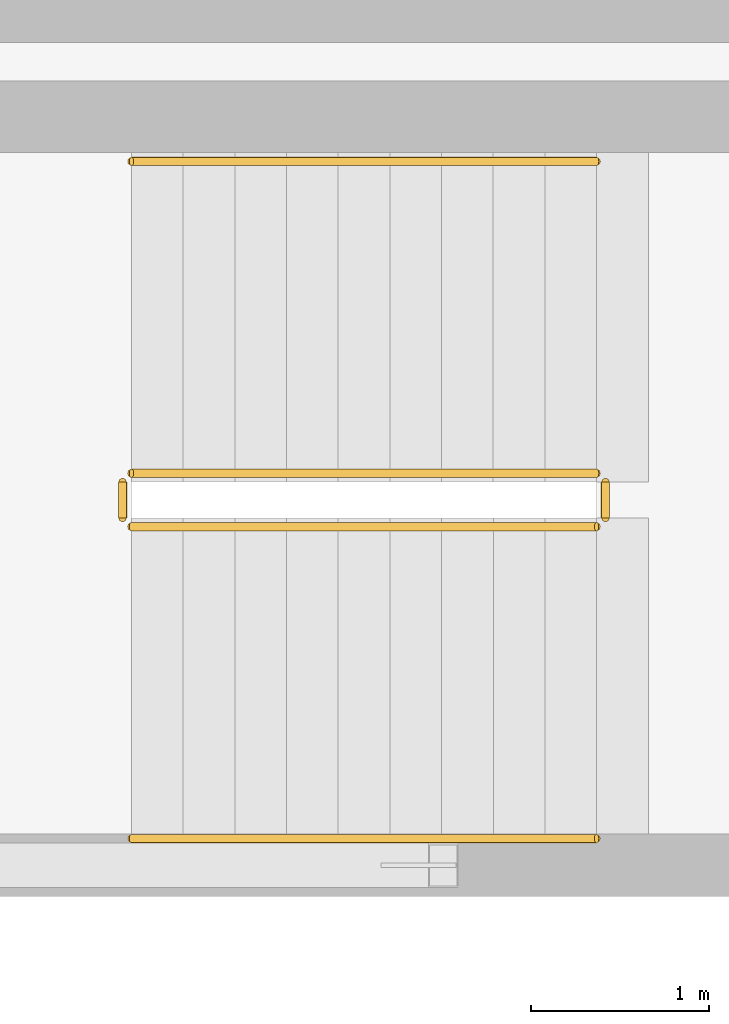
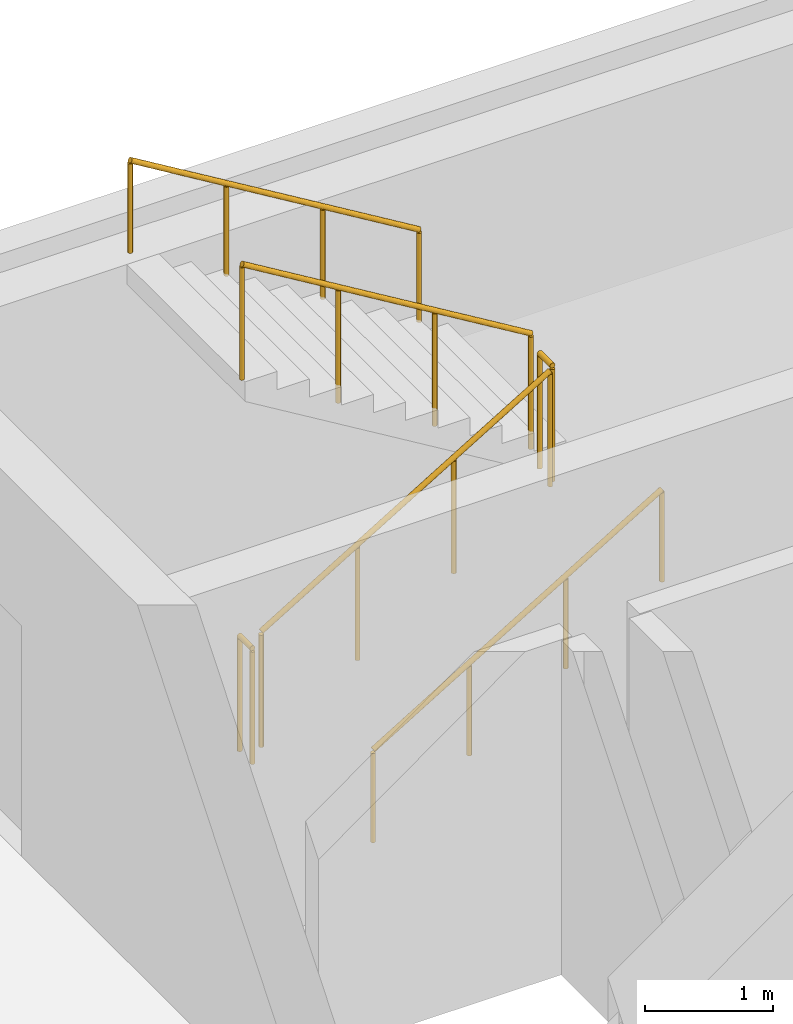
# One storey, part 16 of 17: 6 railings.
"""IFC4 building model written with IfcOpenShell, lengths in metres."""

from ifc_helpers import new_model, si_unit, direction, frame, origin, origin_2d, place, context, subcontext, project, spatial, circle, extrude, material, type_object, element, save


model = new_model("IFC4")

# Units and contexts
model_context = context("Model", 3, precision=1e-05, world=origin(), true_north=direction((0.0, 1.0)))
body_context = subcontext(model_context, "Body", "Model", "MODEL_VIEW")
ifc_project = project(units=[si_unit("LENGTHUNIT", "METRE"), si_unit("AREAUNIT", "SQUARE_METRE"), si_unit("VOLUMEUNIT", "CUBIC_METRE"), si_unit("PLANEANGLEUNIT", "RADIAN"), si_unit("MASSUNIT", "GRAM", prefix="KILO")], contexts=[model_context])

# Site, building, storey
site_placement = place(None, origin())
site = spatial("IfcSite", under=ifc_project, at=site_placement, CompositionType="ELEMENT")
building_placement = place(site_placement, origin())
building = spatial("IfcBuilding", under=site, at=building_placement, Name="Sollismere Congress Hotel", CompositionType="ELEMENT")
storey_placement = place(building_placement, frame((0.0, 0.0, 37.60009765625)))
storey = spatial("IfcBuildingStorey", under=building, at=storey_placement, Name="L09", CompositionType="ELEMENT", Elevation=37.60009765625)

# Railings
ifc_material_1 = material(Name="Steel ASTM A500 Grade C", Category="steel")
railing_type_1 = type_object("IfcRailingType", Name="RL-GRD112", PredefinedType="GUARDRAIL", material=ifc_material_1)
railing_1_placement = place(storey_placement, frame((95.85009765625, 16.25, 0.1748046875)))
element("IfcRailing", 1, at=railing_1_placement, inside=storey, type_object=railing_type_1, Name="RLG-RG-ST-02-L09-1", PredefinedType="GUARDRAIL", context=body_context, shape_type="SweptSolid", body=[
    extrude(circle(Radius=0.02392578125, at=origin_2d()), frame((0.0, 0.0, 1.09619140625), z_axis=(0.856147343639, 0.0, 0.516731773728), x_axis=(0.0, 1.0, 0.0)), (0.0, 0.0, 1.0), 3.04833984375),
    extrude(circle(Radius=0.02099609375, at=origin_2d()), origin(), (0.0, 0.0, 1.0), 1.072021484375),
    extrude(circle(Radius=0.02099609375, at=origin_2d()), frame((0.869873046875, 0.0, 0.525146484375)), (0.0, 0.0, 1.0), 1.072021484375),
    extrude(circle(Radius=0.02099609375, at=origin_2d()), frame((1.739990234375, 0.0, 1.050048828125)), (0.0, 0.0, 1.0), 1.072021484375),
    extrude(circle(Radius=0.02099609375, at=origin_2d()), frame((2.60986328125, 0.0, 1.5751953125)), (0.0, 0.0, 1.0), 1.072021484375),
])
railing_2_placement = place(storey_placement, frame((98.510009765625, 16.300048828125, 1.75)))
element("IfcRailing", 2, at=railing_2_placement, inside=storey, type_object=railing_type_1, Name="RLG-RG-ST-02-L09-2", PredefinedType="GUARDRAIL", context=body_context, shape_type="SweptSolid", body=[
    extrude(circle(Radius=0.02392578125, at=origin_2d()), frame((0.0, 0.0, 1.09619140625), z_axis=(0.0, 1.0, 0.0), x_axis=(-1.0, 0.0, 0.0)), (0.0, 0.0, 1.0), 0.199951171875),
    extrude(circle(Radius=0.02099609375, at=origin_2d()), origin(), (0.0, 0.0, 1.0), 1.072021484375),
    extrude(circle(Radius=0.02099609375, at=origin_2d()), frame((0.0, 0.199951171875, 0.0)), (0.0, 0.0, 1.0), 1.072021484375),
])
railing_3_placement = place(storey_placement, frame((98.4599609375, 16.550048828125, 1.9248046875)))
element("IfcRailing", 3, at=railing_3_placement, inside=storey, type_object=railing_type_1, Name="RLG-RG-ST-02-L09-3", PredefinedType="GUARDRAIL", context=body_context, shape_type="SweptSolid", body=[
    extrude(circle(Radius=0.02392578125, at=origin_2d()), frame((0.0, 0.0, 1.09619140625), z_axis=(-0.856147343639, 0.0, 0.516731773728), x_axis=(0.0, -1.0, 0.0)), (0.0, 0.0, 1.0), 3.04833984375),
    extrude(circle(Radius=0.02099609375, at=origin_2d()), origin(), (0.0, 0.0, 1.0), 1.072021484375),
    extrude(circle(Radius=0.02099609375, at=origin_2d()), frame((-0.869873046875, 0.0, 0.525146484375)), (0.0, 0.0, 1.0), 1.072021484375),
    extrude(circle(Radius=0.02099609375, at=origin_2d()), frame((-1.739990234375, 0.0, 1.050048828125)), (0.0, 0.0, 1.0), 1.072021484375),
    extrude(circle(Radius=0.02099609375, at=origin_2d()), frame((-2.60986328125, 0.0, 1.5751953125)), (0.0, 0.0, 1.0), 1.072021484375),
])
railing_4_placement = place(storey_placement, frame((95.800048828125, 16.300048828125, 0.0)))
element("IfcRailing", 4, at=railing_4_placement, inside=storey, type_object=railing_type_1, Name="RLG-RG-ST-02-L09-4", PredefinedType="GUARDRAIL", context=body_context, shape_type="SweptSolid", body=[
    extrude(circle(Radius=0.02392578125, at=origin_2d()), frame((0.0, 0.0, 1.09619140625), z_axis=(0.0, 1.0, 0.0), x_axis=(-1.0, 0.0, 0.0)), (0.0, 0.0, 1.0), 0.199951171875),
    extrude(circle(Radius=0.02099609375, at=origin_2d()), origin(), (0.0, 0.0, 1.0), 1.072021484375),
    extrude(circle(Radius=0.02099609375, at=origin_2d()), frame((0.0, 0.199951171875, 0.0)), (0.0, 0.0, 1.0), 1.072021484375),
])
ifc_material_2 = material(Name="Brushed Architectural Bronze")
railing_type_2 = type_object("IfcRailingType", Name="RL-HND90", PredefinedType="HANDRAIL", material=ifc_material_2)
railing_5_placement = place(storey_placement, frame((95.85009765625, 14.5, 0.325927734375)))
element("IfcRailing", 5, at=railing_5_placement, inside=storey, type_object=railing_type_2, Name="RLG-RH-ST-02-L09-1", PredefinedType="HANDRAIL", context=body_context, shape_type="SweptSolid", body=[
    extrude(circle(Radius=0.02392578125, at=origin_2d()), frame((0.0, 0.0, 0.8759765625), z_axis=(0.85618277418, 0.0, 0.516673066065), x_axis=(0.0, 1.0, 0.0)), (0.0, 0.0, 1.0), 3.04833984375),
    extrude(circle(Radius=0.02099609375, at=origin_2d()), origin(), (0.0, 0.0, 1.0), 0.851806640625),
    extrude(circle(Radius=0.02099609375, at=origin_2d()), frame((0.869873046875, 0.0, 0.52490234375)), (0.0, 0.0, 1.0), 0.851806640625),
    extrude(circle(Radius=0.02099609375, at=origin_2d()), frame((1.739990234375, 0.0, 1.050048828125)), (0.0, 0.0, 1.0), 0.851806640625),
    extrude(circle(Radius=0.02099609375, at=origin_2d()), frame((2.60986328125, 0.0, 1.574951171875)), (0.0, 0.0, 1.0), 0.851806640625),
])
railing_6_placement = place(storey_placement, frame((98.4599609375, 18.300048828125, 2.075927734375)))
element("IfcRailing", 6, at=railing_6_placement, inside=storey, type_object=railing_type_2, Name="RLG-RH-ST-02-L09-2", PredefinedType="HANDRAIL", context=body_context, shape_type="SweptSolid", body=[
    extrude(circle(Radius=0.02392578125, at=origin_2d()), frame((0.0, 0.0, 0.8759765625), z_axis=(-0.85618277418, 0.0, 0.516673066065), x_axis=(0.0, -1.0, 0.0)), (0.0, 0.0, 1.0), 3.04833984375),
    extrude(circle(Radius=0.02099609375, at=origin_2d()), origin(), (0.0, 0.0, 1.0), 0.851806640625),
    extrude(circle(Radius=0.02099609375, at=origin_2d()), frame((-0.869873046875, 0.0, 0.52490234375)), (0.0, 0.0, 1.0), 0.851806640625),
    extrude(circle(Radius=0.02099609375, at=origin_2d()), frame((-1.739990234375, 0.0, 1.050048828125)), (0.0, 0.0, 1.0), 0.851806640625),
    extrude(circle(Radius=0.02099609375, at=origin_2d()), frame((-2.60986328125, 0.0, 1.574951171875)), (0.0, 0.0, 1.0), 0.851806640625),
])

save(model, "model.ifc")
